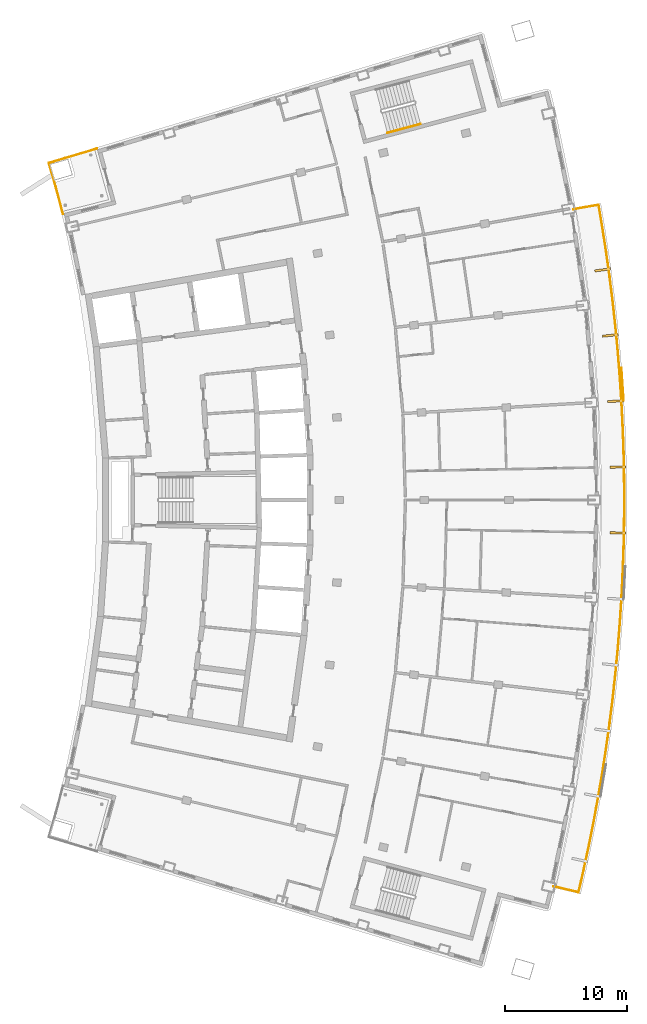
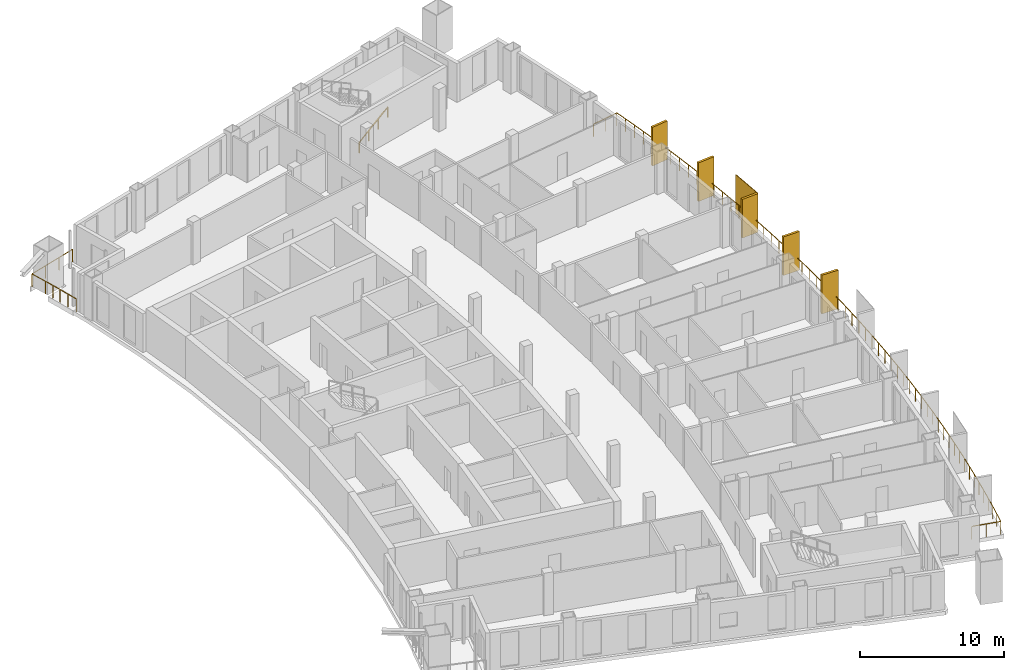
# One storey, part 16 of 17: 6 shading devices, 3 railings.
"""IFC4 building model written with IfcOpenShell, lengths in metres."""

from ifc_helpers import new_model, si_unit, direction, frame, origin, origin_2d, place, context, subcontext, project, spatial, rectangle, extrude, material, layer, layer_set, type_object, element, save


model = new_model("IFC4")

# Units and contexts
model_context = context("Model", 3, precision=1e-05, world=origin(), true_north=direction((0.0, 1.0)))
body_context = subcontext(model_context, "Body", "Model", "MODEL_VIEW")
ifc_project = project(units=[si_unit("LENGTHUNIT", "METRE"), si_unit("AREAUNIT", "SQUARE_METRE"), si_unit("VOLUMEUNIT", "CUBIC_METRE"), si_unit("PLANEANGLEUNIT", "RADIAN"), si_unit("MASSUNIT", "GRAM", prefix="KILO")], contexts=[model_context])

# Site, building, storey
site_placement = place(None, origin())
site = spatial("IfcSite", under=ifc_project, at=site_placement, CompositionType="ELEMENT")
building_placement = place(site_placement, origin())
building = spatial("IfcBuilding", under=site, at=building_placement, Name="Alderwake Tower", CompositionType="ELEMENT")
storey_placement = place(building_placement, frame((0.0, 0.0, 260.0)))
storey = spatial("IfcBuildingStorey", under=building, at=storey_placement, Name="L64", CompositionType="ELEMENT", Elevation=260.0)

# Railings
ifc_material_1 = material(Name="Stainless steel 316 rail and posts", Category="steel")
railing_type_1 = type_object("IfcRailingType", Name="Balcony guard 1100", PredefinedType="GUARDRAIL", material=ifc_material_1)
railing_1_placement = place(storey_placement, frame((53.310302734375, 29.41845703125, 0.0)))
element("IfcRailing", 1, at=railing_1_placement, inside=storey, type_object=railing_type_1, Name="Guard BF03", PredefinedType="GUARDRAIL", context=body_context, shape_type="SweptSolid", body=[
    extrude(rectangle(XDim=0.048095703125, YDim=0.048095703125, at=origin_2d()), frame((0.0, 0.0, 1.076171875), z_axis=(0.973057638874, -0.230561990427, 0.0), x_axis=(0.230561990427, 0.973057638874, 0.0)), (0.0, 0.0, 1.0), 2.099853515625),
    extrude(rectangle(XDim=0.048095703125, YDim=0.048095703125, at=origin_2d()), frame((2.043212890625, -0.484130859375, 1.076171875), z_axis=(0.223814637938, 0.974631729344, 0.0), x_axis=(-0.974631729344, 0.223814637938, 0.0)), (0.0, 0.0, 1.0), 1.928466796875),
    extrude(rectangle(XDim=0.048095703125, YDim=0.048095703125, at=origin_2d()), frame((2.474853515625, 1.3955078125, 1.076171875), z_axis=(0.209890712011, 0.977724853428, 0.0), x_axis=(-0.977724853428, 0.209890712011, 0.0)), (0.0, 0.0, 1.0), 2.028564453125),
    extrude(rectangle(XDim=0.048095703125, YDim=0.048095703125, at=origin_2d()), frame((2.900634765625, 3.37890625, 1.076171875), z_axis=(0.195583748105, 0.980687002808, 0.0), x_axis=(-0.980687002808, 0.195583748105, 0.0)), (0.0, 0.0, 1.0), 2.0283203125),
    extrude(rectangle(XDim=0.048095703125, YDim=0.048095703125, at=origin_2d()), frame((3.29736328125, 5.3681640625, 1.076171875), z_axis=(0.18137379082, 0.983414230121, 0.0), x_axis=(-0.983414230121, 0.18137379082, 0.0)), (0.0, 0.0, 1.0), 2.028564453125),
    extrude(rectangle(XDim=0.048095703125, YDim=0.048095703125, at=origin_2d()), frame((3.665283203125, 7.363037109375, 1.076171875), z_axis=(0.16693570744, 0.985967783237, 0.0), x_axis=(-0.985967783237, 0.16693570744, 0.0)), (0.0, 0.0, 1.0), 2.028564453125),
    extrude(rectangle(XDim=0.048095703125, YDim=0.048095703125, at=origin_2d()), frame((4.00390625, 9.363037109375, 1.076171875), z_axis=(0.152482217915, 0.988306214298, 0.0), x_axis=(-0.988306214298, 0.152482217915, 0.0)), (0.0, 0.0, 1.0), 2.028564453125),
    extrude(rectangle(XDim=0.048095703125, YDim=0.048095703125, at=origin_2d()), frame((4.313232421875, 11.367919921875, 1.076171875), z_axis=(0.13805051548, 0.990425189086, 0.0), x_axis=(-0.990425189086, 0.13805051548, 0.0)), (0.0, 0.0, 1.0), 2.028564453125),
    extrude(rectangle(XDim=0.048095703125, YDim=0.048095703125, at=origin_2d()), frame((4.59326171875, 13.376953125, 1.076171875), z_axis=(0.123590385512, 0.992333319308, 0.0), x_axis=(-0.992333319308, 0.123590385512, 0.0)), (0.0, 0.0, 1.0), 2.02880859375),
    extrude(rectangle(XDim=0.048095703125, YDim=0.048095703125, at=origin_2d()), frame((4.843994140625, 15.39013671875, 1.076171875), z_axis=(0.109163290286, 0.994023830727, 0.0), x_axis=(-0.994023830727, 0.109163290286, 0.0)), (0.0, 0.0, 1.0), 2.028564453125),
    extrude(rectangle(XDim=0.048095703125, YDim=0.048095703125, at=origin_2d()), frame((5.0654296875, 17.406494140625, 1.076171875), z_axis=(0.094723893114, 0.995503583154, 0.0), x_axis=(-0.995503583154, 0.094723893114, 0.0)), (0.0, 0.0, 1.0), 2.0283203125),
    extrude(rectangle(XDim=0.048095703125, YDim=0.048095703125, at=origin_2d()), frame((5.257568359375, 19.42578125, 1.076171875), z_axis=(0.080156604703, 0.996782282508, 0.0), x_axis=(-0.996782282508, 0.080156604703, 0.0)), (0.0, 0.0, 1.0), 2.028564453125),
    extrude(rectangle(XDim=0.048095703125, YDim=0.048095703125, at=origin_2d()), frame((5.420166015625, 21.44775390625, 1.076171875), z_axis=(0.065472533863, 0.997854371795, 0.0), x_axis=(-0.997854371795, 0.065472533863, 0.0)), (0.0, 0.0, 1.0), 2.028564453125),
    extrude(rectangle(XDim=0.048095703125, YDim=0.048095703125, at=origin_2d()), frame((5.552978515625, 23.471923828125, 1.076171875), z_axis=(0.051030076832, 0.998697116877, 0.0), x_axis=(-0.998697116877, 0.051030076832, 0.0)), (0.0, 0.0, 1.0), 2.028564453125),
    extrude(rectangle(XDim=0.048095703125, YDim=0.048095703125, at=origin_2d()), frame((5.656494140625, 25.497802734375, 1.076171875), z_axis=(0.036464173068, 0.999334960903, 0.0), x_axis=(-0.999334960903, 0.036464173068, 0.0)), (0.0, 0.0, 1.0), 2.02880859375),
    extrude(rectangle(XDim=0.048095703125, YDim=0.048095703125, at=origin_2d()), frame((5.73046875, 27.525146484375, 1.076171875), z_axis=(0.021906612556, 0.999760021368, 0.0), x_axis=(-0.999760021368, 0.021906612556, 0.0)), (0.0, 0.0, 1.0), 2.0283203125),
    extrude(rectangle(XDim=0.048095703125, YDim=0.048095703125, at=origin_2d()), frame((5.77490234375, 29.552978515625, 1.076171875), z_axis=(0.007341239164, 0.999973052741, 0.0), x_axis=(-0.999973052741, 0.007341239164, 0.0)), (0.0, 0.0, 1.0), 2.028564453125),
    extrude(rectangle(XDim=0.048095703125, YDim=0.048095703125, at=origin_2d()), frame((5.789794921875, 31.58154296875, 1.076171875), z_axis=(-0.007341239164, 0.999973052741, 0.0), x_axis=(-0.999973052741, -0.007341239164, 0.0)), (0.0, 0.0, 1.0), 2.028564453125),
    extrude(rectangle(XDim=0.048095703125, YDim=0.048095703125, at=origin_2d()), frame((5.77490234375, 33.610107421875, 1.076171875), z_axis=(-0.021906612556, 0.999760021368, 0.0), x_axis=(-0.999760021368, -0.021906612556, 0.0)), (0.0, 0.0, 1.0), 2.0283203125),
    extrude(rectangle(XDim=0.048095703125, YDim=0.048095703125, at=origin_2d()), frame((5.73046875, 35.637939453125, 1.076171875), z_axis=(-0.036464173068, 0.999334960903, 0.0), x_axis=(-0.999334960903, -0.036464173068, 0.0)), (0.0, 0.0, 1.0), 2.02880859375),
    extrude(rectangle(XDim=0.048095703125, YDim=0.048095703125, at=origin_2d()), frame((5.656494140625, 37.665283203125, 1.076171875), z_axis=(-0.051030076832, 0.998697116877, 0.0), x_axis=(-0.998697116877, -0.051030076832, 0.0)), (0.0, 0.0, 1.0), 2.028564453125),
    extrude(rectangle(XDim=0.048095703125, YDim=0.048095703125, at=origin_2d()), frame((5.552978515625, 39.691162109375, 1.076171875), z_axis=(-0.065472533863, 0.997854371795, 0.0), x_axis=(-0.997854371795, -0.065472533863, 0.0)), (0.0, 0.0, 1.0), 2.028564453125),
    extrude(rectangle(XDim=0.048095703125, YDim=0.048095703125, at=origin_2d()), frame((5.420166015625, 41.71533203125, 1.076171875), z_axis=(-0.080156604703, 0.996782282508, 0.0), x_axis=(-0.996782282508, -0.080156604703, 0.0)), (0.0, 0.0, 1.0), 2.028564453125),
    extrude(rectangle(XDim=0.048095703125, YDim=0.048095703125, at=origin_2d()), frame((5.257568359375, 43.7373046875, 1.076171875), z_axis=(-0.094723893114, 0.995503583154, 0.0), x_axis=(-0.995503583154, -0.094723893114, 0.0)), (0.0, 0.0, 1.0), 2.0283203125),
    extrude(rectangle(XDim=0.048095703125, YDim=0.048095703125, at=origin_2d()), frame((5.0654296875, 45.756591796875, 1.076171875), z_axis=(-0.109163290286, 0.994023830727, 0.0), x_axis=(-0.994023830727, -0.109163290286, 0.0)), (0.0, 0.0, 1.0), 2.028564453125),
    extrude(rectangle(XDim=0.048095703125, YDim=0.048095703125, at=origin_2d()), frame((4.843994140625, 47.77294921875, 1.076171875), z_axis=(-0.123590385512, 0.992333319308, 0.0), x_axis=(-0.992333319308, -0.123590385512, 0.0)), (0.0, 0.0, 1.0), 2.02880859375),
    extrude(rectangle(XDim=0.048095703125, YDim=0.048095703125, at=origin_2d()), frame((4.59326171875, 49.7861328125, 1.076171875), z_axis=(-0.13805051548, 0.990425189086, 0.0), x_axis=(-0.990425189086, -0.13805051548, 0.0)), (0.0, 0.0, 1.0), 2.028564453125),
    extrude(rectangle(XDim=0.048095703125, YDim=0.048095703125, at=origin_2d()), frame((4.313232421875, 51.795166015625, 1.076171875), z_axis=(-0.152482217915, 0.988306214298, 0.0), x_axis=(-0.988306214298, -0.152482217915, 0.0)), (0.0, 0.0, 1.0), 2.028564453125),
    extrude(rectangle(XDim=0.048095703125, YDim=0.048095703125, at=origin_2d()), frame((4.00390625, 53.800048828125, 1.076171875), z_axis=(-0.16659512263, 0.986025387663, 0.0), x_axis=(-0.986025387663, -0.16659512263, 0.0)), (0.0, 0.0, 1.0), 1.928466796875),
    extrude(rectangle(XDim=0.048095703125, YDim=0.048095703125, at=origin_2d()), frame((3.6826171875, 55.70166015625, 1.076171875), z_axis=(-0.984844352562, -0.173440483242, 0.0), x_axis=(0.173440483242, -0.984844352562, 0.0)), (0.0, 0.0, 1.0), 2.10009765625),
    extrude(rectangle(XDim=0.0419921875, YDim=0.0419921875, at=origin_2d()), frame((0.0, 0.0, 0.0), z_axis=(0.0, 0.0, 1.0), x_axis=(0.973057638874, -0.230561990427, 0.0)), (0.0, 0.0, 1.0), 1.052001953125),
    extrude(rectangle(XDim=0.0419921875, YDim=0.0419921875, at=origin_2d()), frame((1.021484375, -0.2421875, 0.0), z_axis=(0.0, 0.0, 1.0), x_axis=(0.973057638874, -0.230561990427, 0.0)), (0.0, 0.0, 1.0), 1.052001953125),
    extrude(rectangle(XDim=0.0419921875, YDim=0.0419921875, at=origin_2d()), frame((2.043212890625, -0.484130859375, 0.0), z_axis=(0.0, 0.0, 1.0), x_axis=(0.223814637938, 0.974631729344, 0.0)), (0.0, 0.0, 1.0), 1.052001953125),
    extrude(rectangle(XDim=0.0419921875, YDim=0.0419921875, at=origin_2d()), frame((2.259033203125, 0.45556640625, 0.0), z_axis=(0.0, 0.0, 1.0), x_axis=(0.223814637938, 0.974631729344, 0.0)), (0.0, 0.0, 1.0), 1.052001953125),
    extrude(rectangle(XDim=0.0419921875, YDim=0.0419921875, at=origin_2d()), frame((2.474853515625, 1.3955078125, 0.0), z_axis=(0.0, 0.0, 1.0), x_axis=(0.209890712011, 0.977724853428, 0.0)), (0.0, 0.0, 1.0), 1.052001953125),
    extrude(rectangle(XDim=0.0419921875, YDim=0.0419921875, at=origin_2d()), frame((2.687744140625, 2.38720703125, 0.0), z_axis=(0.0, 0.0, 1.0), x_axis=(0.209890712011, 0.977724853428, 0.0)), (0.0, 0.0, 1.0), 1.052001953125),
    extrude(rectangle(XDim=0.0419921875, YDim=0.0419921875, at=origin_2d()), frame((2.900634765625, 3.37890625, 0.0), z_axis=(0.0, 0.0, 1.0), x_axis=(0.195583748105, 0.980687002808, 0.0)), (0.0, 0.0, 1.0), 1.052001953125),
    extrude(rectangle(XDim=0.0419921875, YDim=0.0419921875, at=origin_2d()), frame((3.09912109375, 4.37353515625, 0.0), z_axis=(0.0, 0.0, 1.0), x_axis=(0.195583748105, 0.980687002808, 0.0)), (0.0, 0.0, 1.0), 1.052001953125),
    extrude(rectangle(XDim=0.0419921875, YDim=0.0419921875, at=origin_2d()), frame((3.29736328125, 5.3681640625, 0.0), z_axis=(0.0, 0.0, 1.0), x_axis=(0.18137379082, 0.983414230121, 0.0)), (0.0, 0.0, 1.0), 1.052001953125),
    extrude(rectangle(XDim=0.0419921875, YDim=0.0419921875, at=origin_2d()), frame((3.4814453125, 6.36572265625, 0.0), z_axis=(0.0, 0.0, 1.0), x_axis=(0.18137379082, 0.983414230121, 0.0)), (0.0, 0.0, 1.0), 1.052001953125),
    extrude(rectangle(XDim=0.0419921875, YDim=0.0419921875, at=origin_2d()), frame((3.665283203125, 7.363037109375, 0.0), z_axis=(0.0, 0.0, 1.0), x_axis=(0.16693570744, 0.985967783237, 0.0)), (0.0, 0.0, 1.0), 1.052001953125),
    extrude(rectangle(XDim=0.0419921875, YDim=0.0419921875, at=origin_2d()), frame((3.83447265625, 8.363037109375, 0.0), z_axis=(0.0, 0.0, 1.0), x_axis=(0.16693570744, 0.985967783237, 0.0)), (0.0, 0.0, 1.0), 1.052001953125),
    extrude(rectangle(XDim=0.0419921875, YDim=0.0419921875, at=origin_2d()), frame((4.00390625, 9.363037109375, 0.0), z_axis=(0.0, 0.0, 1.0), x_axis=(0.152482217915, 0.988306214298, 0.0)), (0.0, 0.0, 1.0), 1.052001953125),
    extrude(rectangle(XDim=0.0419921875, YDim=0.0419921875, at=origin_2d()), frame((4.15869140625, 10.365478515625, 0.0), z_axis=(0.0, 0.0, 1.0), x_axis=(0.152482217915, 0.988306214298, 0.0)), (0.0, 0.0, 1.0), 1.052001953125),
    extrude(rectangle(XDim=0.0419921875, YDim=0.0419921875, at=origin_2d()), frame((4.313232421875, 11.367919921875, 0.0), z_axis=(0.0, 0.0, 1.0), x_axis=(0.13805051548, 0.990425189086, 0.0)), (0.0, 0.0, 1.0), 1.052001953125),
    extrude(rectangle(XDim=0.0419921875, YDim=0.0419921875, at=origin_2d()), frame((4.453125, 12.37255859375, 0.0), z_axis=(0.0, 0.0, 1.0), x_axis=(0.13805051548, 0.990425189086, 0.0)), (0.0, 0.0, 1.0), 1.052001953125),
    extrude(rectangle(XDim=0.0419921875, YDim=0.0419921875, at=origin_2d()), frame((4.59326171875, 13.376953125, 0.0), z_axis=(0.0, 0.0, 1.0), x_axis=(0.123590385512, 0.992333319308, 0.0)), (0.0, 0.0, 1.0), 1.052001953125),
    extrude(rectangle(XDim=0.0419921875, YDim=0.0419921875, at=origin_2d()), frame((4.71875, 14.383544921875, 0.0), z_axis=(0.0, 0.0, 1.0), x_axis=(0.123590385512, 0.992333319308, 0.0)), (0.0, 0.0, 1.0), 1.052001953125),
    extrude(rectangle(XDim=0.0419921875, YDim=0.0419921875, at=origin_2d()), frame((4.843994140625, 15.39013671875, 0.0), z_axis=(0.0, 0.0, 1.0), x_axis=(0.109163290286, 0.994023830727, 0.0)), (0.0, 0.0, 1.0), 1.052001953125),
    extrude(rectangle(XDim=0.0419921875, YDim=0.0419921875, at=origin_2d()), frame((4.95458984375, 16.3984375, 0.0), z_axis=(0.0, 0.0, 1.0), x_axis=(0.109163290286, 0.994023830727, 0.0)), (0.0, 0.0, 1.0), 1.052001953125),
    extrude(rectangle(XDim=0.0419921875, YDim=0.0419921875, at=origin_2d()), frame((5.0654296875, 17.406494140625, 0.0), z_axis=(0.0, 0.0, 1.0), x_axis=(0.094723893114, 0.995503583154, 0.0)), (0.0, 0.0, 1.0), 1.052001953125),
    extrude(rectangle(XDim=0.0419921875, YDim=0.0419921875, at=origin_2d()), frame((5.16162109375, 18.416015625, 0.0), z_axis=(0.0, 0.0, 1.0), x_axis=(0.094723893114, 0.995503583154, 0.0)), (0.0, 0.0, 1.0), 1.052001953125),
    extrude(rectangle(XDim=0.0419921875, YDim=0.0419921875, at=origin_2d()), frame((5.257568359375, 19.42578125, 0.0), z_axis=(0.0, 0.0, 1.0), x_axis=(0.080156604703, 0.996782282508, 0.0)), (0.0, 0.0, 1.0), 1.052001953125),
    extrude(rectangle(XDim=0.0419921875, YDim=0.0419921875, at=origin_2d()), frame((5.3388671875, 20.436767578125, 0.0), z_axis=(0.0, 0.0, 1.0), x_axis=(0.080156604703, 0.996782282508, 0.0)), (0.0, 0.0, 1.0), 1.052001953125),
    extrude(rectangle(XDim=0.0419921875, YDim=0.0419921875, at=origin_2d()), frame((5.420166015625, 21.44775390625, 0.0), z_axis=(0.0, 0.0, 1.0), x_axis=(0.065472533863, 0.997854371795, 0.0)), (0.0, 0.0, 1.0), 1.052001953125),
    extrude(rectangle(XDim=0.0419921875, YDim=0.0419921875, at=origin_2d()), frame((5.486572265625, 22.4599609375, 0.0), z_axis=(0.0, 0.0, 1.0), x_axis=(0.065472533863, 0.997854371795, 0.0)), (0.0, 0.0, 1.0), 1.052001953125),
    extrude(rectangle(XDim=0.0419921875, YDim=0.0419921875, at=origin_2d()), frame((5.552978515625, 23.471923828125, 0.0), z_axis=(0.0, 0.0, 1.0), x_axis=(0.051030076832, 0.998697116877, 0.0)), (0.0, 0.0, 1.0), 1.052001953125),
    extrude(rectangle(XDim=0.0419921875, YDim=0.0419921875, at=origin_2d()), frame((5.604736328125, 24.48486328125, 0.0), z_axis=(0.0, 0.0, 1.0), x_axis=(0.051030076832, 0.998697116877, 0.0)), (0.0, 0.0, 1.0), 1.052001953125),
    extrude(rectangle(XDim=0.0419921875, YDim=0.0419921875, at=origin_2d()), frame((5.656494140625, 25.497802734375, 0.0), z_axis=(0.0, 0.0, 1.0), x_axis=(0.036464173068, 0.999334960903, 0.0)), (0.0, 0.0, 1.0), 1.052001953125),
    extrude(rectangle(XDim=0.0419921875, YDim=0.0419921875, at=origin_2d()), frame((5.693359375, 26.511474609375, 0.0), z_axis=(0.0, 0.0, 1.0), x_axis=(0.036464173068, 0.999334960903, 0.0)), (0.0, 0.0, 1.0), 1.052001953125),
    extrude(rectangle(XDim=0.0419921875, YDim=0.0419921875, at=origin_2d()), frame((5.73046875, 27.525146484375, 0.0), z_axis=(0.0, 0.0, 1.0), x_axis=(0.021906612556, 0.999760021368, 0.0)), (0.0, 0.0, 1.0), 1.052001953125),
    extrude(rectangle(XDim=0.0419921875, YDim=0.0419921875, at=origin_2d()), frame((5.752685546875, 28.5390625, 0.0), z_axis=(0.0, 0.0, 1.0), x_axis=(0.021906612556, 0.999760021368, 0.0)), (0.0, 0.0, 1.0), 1.052001953125),
    extrude(rectangle(XDim=0.0419921875, YDim=0.0419921875, at=origin_2d()), frame((5.77490234375, 29.552978515625, 0.0), z_axis=(0.0, 0.0, 1.0), x_axis=(0.007341239164, 0.999973052741, 0.0)), (0.0, 0.0, 1.0), 1.052001953125),
    extrude(rectangle(XDim=0.0419921875, YDim=0.0419921875, at=origin_2d()), frame((5.7822265625, 30.5673828125, 0.0), z_axis=(0.0, 0.0, 1.0), x_axis=(0.007341239164, 0.999973052741, 0.0)), (0.0, 0.0, 1.0), 1.052001953125),
    extrude(rectangle(XDim=0.0419921875, YDim=0.0419921875, at=origin_2d()), frame((5.789794921875, 31.58154296875, 0.0), z_axis=(0.0, 0.0, 1.0), x_axis=(-0.007341239164, 0.999973052741, 0.0)), (0.0, 0.0, 1.0), 1.052001953125),
    extrude(rectangle(XDim=0.0419921875, YDim=0.0419921875, at=origin_2d()), frame((5.7822265625, 32.595703125, 0.0), z_axis=(0.0, 0.0, 1.0), x_axis=(-0.007341239164, 0.999973052741, 0.0)), (0.0, 0.0, 1.0), 1.052001953125),
    extrude(rectangle(XDim=0.0419921875, YDim=0.0419921875, at=origin_2d()), frame((5.77490234375, 33.610107421875, 0.0), z_axis=(0.0, 0.0, 1.0), x_axis=(-0.021906612556, 0.999760021368, 0.0)), (0.0, 0.0, 1.0), 1.052001953125),
    extrude(rectangle(XDim=0.0419921875, YDim=0.0419921875, at=origin_2d()), frame((5.752685546875, 34.6240234375, 0.0), z_axis=(0.0, 0.0, 1.0), x_axis=(-0.021906612556, 0.999760021368, 0.0)), (0.0, 0.0, 1.0), 1.052001953125),
    extrude(rectangle(XDim=0.0419921875, YDim=0.0419921875, at=origin_2d()), frame((5.73046875, 35.637939453125, 0.0), z_axis=(0.0, 0.0, 1.0), x_axis=(-0.036464173068, 0.999334960903, 0.0)), (0.0, 0.0, 1.0), 1.052001953125),
    extrude(rectangle(XDim=0.0419921875, YDim=0.0419921875, at=origin_2d()), frame((5.693359375, 36.651611328125, 0.0), z_axis=(0.0, 0.0, 1.0), x_axis=(-0.036464173068, 0.999334960903, 0.0)), (0.0, 0.0, 1.0), 1.052001953125),
    extrude(rectangle(XDim=0.0419921875, YDim=0.0419921875, at=origin_2d()), frame((5.656494140625, 37.665283203125, 0.0), z_axis=(0.0, 0.0, 1.0), x_axis=(-0.051030076832, 0.998697116877, 0.0)), (0.0, 0.0, 1.0), 1.052001953125),
    extrude(rectangle(XDim=0.0419921875, YDim=0.0419921875, at=origin_2d()), frame((5.604736328125, 38.67822265625, 0.0), z_axis=(0.0, 0.0, 1.0), x_axis=(-0.051030076832, 0.998697116877, 0.0)), (0.0, 0.0, 1.0), 1.052001953125),
    extrude(rectangle(XDim=0.0419921875, YDim=0.0419921875, at=origin_2d()), frame((5.552978515625, 39.691162109375, 0.0), z_axis=(0.0, 0.0, 1.0), x_axis=(-0.065472533863, 0.997854371795, 0.0)), (0.0, 0.0, 1.0), 1.052001953125),
    extrude(rectangle(XDim=0.0419921875, YDim=0.0419921875, at=origin_2d()), frame((5.486572265625, 40.703125, 0.0), z_axis=(0.0, 0.0, 1.0), x_axis=(-0.065472533863, 0.997854371795, 0.0)), (0.0, 0.0, 1.0), 1.052001953125),
    extrude(rectangle(XDim=0.0419921875, YDim=0.0419921875, at=origin_2d()), frame((5.420166015625, 41.71533203125, 0.0), z_axis=(0.0, 0.0, 1.0), x_axis=(-0.080156604703, 0.996782282508, 0.0)), (0.0, 0.0, 1.0), 1.052001953125),
    extrude(rectangle(XDim=0.0419921875, YDim=0.0419921875, at=origin_2d()), frame((5.3388671875, 42.726318359375, 0.0), z_axis=(0.0, 0.0, 1.0), x_axis=(-0.080156604703, 0.996782282508, 0.0)), (0.0, 0.0, 1.0), 1.052001953125),
    extrude(rectangle(XDim=0.0419921875, YDim=0.0419921875, at=origin_2d()), frame((5.257568359375, 43.7373046875, 0.0), z_axis=(0.0, 0.0, 1.0), x_axis=(-0.094723893114, 0.995503583154, 0.0)), (0.0, 0.0, 1.0), 1.052001953125),
    extrude(rectangle(XDim=0.0419921875, YDim=0.0419921875, at=origin_2d()), frame((5.16162109375, 44.7470703125, 0.0), z_axis=(0.0, 0.0, 1.0), x_axis=(-0.094723893114, 0.995503583154, 0.0)), (0.0, 0.0, 1.0), 1.052001953125),
    extrude(rectangle(XDim=0.0419921875, YDim=0.0419921875, at=origin_2d()), frame((5.0654296875, 45.756591796875, 0.0), z_axis=(0.0, 0.0, 1.0), x_axis=(-0.109163290286, 0.994023830727, 0.0)), (0.0, 0.0, 1.0), 1.052001953125),
    extrude(rectangle(XDim=0.0419921875, YDim=0.0419921875, at=origin_2d()), frame((4.95458984375, 46.7646484375, 0.0), z_axis=(0.0, 0.0, 1.0), x_axis=(-0.109163290286, 0.994023830727, 0.0)), (0.0, 0.0, 1.0), 1.052001953125),
    extrude(rectangle(XDim=0.0419921875, YDim=0.0419921875, at=origin_2d()), frame((4.843994140625, 47.77294921875, 0.0), z_axis=(0.0, 0.0, 1.0), x_axis=(-0.123590385512, 0.992333319308, 0.0)), (0.0, 0.0, 1.0), 1.052001953125),
    extrude(rectangle(XDim=0.0419921875, YDim=0.0419921875, at=origin_2d()), frame((4.71875, 48.779541015625, 0.0), z_axis=(0.0, 0.0, 1.0), x_axis=(-0.123590385512, 0.992333319308, 0.0)), (0.0, 0.0, 1.0), 1.052001953125),
    extrude(rectangle(XDim=0.0419921875, YDim=0.0419921875, at=origin_2d()), frame((4.59326171875, 49.7861328125, 0.0), z_axis=(0.0, 0.0, 1.0), x_axis=(-0.13805051548, 0.990425189086, 0.0)), (0.0, 0.0, 1.0), 1.052001953125),
    extrude(rectangle(XDim=0.0419921875, YDim=0.0419921875, at=origin_2d()), frame((4.453125, 50.79052734375, 0.0), z_axis=(0.0, 0.0, 1.0), x_axis=(-0.13805051548, 0.990425189086, 0.0)), (0.0, 0.0, 1.0), 1.052001953125),
    extrude(rectangle(XDim=0.0419921875, YDim=0.0419921875, at=origin_2d()), frame((4.313232421875, 51.795166015625, 0.0), z_axis=(0.0, 0.0, 1.0), x_axis=(-0.152482217915, 0.988306214298, 0.0)), (0.0, 0.0, 1.0), 1.052001953125),
    extrude(rectangle(XDim=0.0419921875, YDim=0.0419921875, at=origin_2d()), frame((4.15869140625, 52.797607421875, 0.0), z_axis=(0.0, 0.0, 1.0), x_axis=(-0.152482217915, 0.988306214298, 0.0)), (0.0, 0.0, 1.0), 1.052001953125),
    extrude(rectangle(XDim=0.0419921875, YDim=0.0419921875, at=origin_2d()), frame((4.00390625, 53.800048828125, 0.0), z_axis=(0.0, 0.0, 1.0), x_axis=(-0.16659512263, 0.986025387663, 0.0)), (0.0, 0.0, 1.0), 1.052001953125),
    extrude(rectangle(XDim=0.0419921875, YDim=0.0419921875, at=origin_2d()), frame((3.84326171875, 54.7509765625, 0.0), z_axis=(0.0, 0.0, 1.0), x_axis=(-0.16659512263, 0.986025387663, 0.0)), (0.0, 0.0, 1.0), 1.052001953125),
    extrude(rectangle(XDim=0.0419921875, YDim=0.0419921875, at=origin_2d()), frame((3.6826171875, 55.70166015625, 0.0), z_axis=(0.0, 0.0, 1.0), x_axis=(-0.984844352562, -0.173440483242, 0.0)), (0.0, 0.0, 1.0), 1.052001953125),
    extrude(rectangle(XDim=0.0419921875, YDim=0.0419921875, at=origin_2d()), frame((2.6484375, 55.51953125, 0.0), z_axis=(0.0, 0.0, 1.0), x_axis=(-0.984844352562, -0.173440483242, 0.0)), (0.0, 0.0, 1.0), 1.052001953125),
    extrude(rectangle(XDim=0.0419921875, YDim=0.0419921875, at=origin_2d()), frame((1.6142578125, 55.33740234375, 0.0), z_axis=(0.0, 0.0, 1.0), x_axis=(-0.984844352562, -0.173440483242, 0.0)), (0.0, 0.0, 1.0), 1.052001953125),
])
railing_2_placement = place(storey_placement, frame((13.210693359375, 84.387451171875, 0.0)))
element("IfcRailing", 2, at=railing_2_placement, inside=storey, type_object=railing_type_1, Name="Guard terrace RN", PredefinedType="GUARDRAIL", context=body_context, shape_type="SweptSolid", body=[
    extrude(rectangle(XDim=0.048095703125, YDim=0.048095703125, at=origin_2d()), frame((0.0, 0.0, 1.076171875), z_axis=(-0.251385381433, 0.967887075026, 0.0), x_axis=(-0.967887075026, -0.251385381433, 0.0)), (0.0, 0.0, 1.0), 1.6015625),
    extrude(rectangle(XDim=0.048095703125, YDim=0.048095703125, at=origin_2d()), frame((-0.402587890625, 1.550048828125, 1.076171875), z_axis=(-0.266520638672, 0.963829211615, 0.0), x_axis=(-0.963829211615, -0.266520638672, 0.0)), (0.0, 0.0, 1.0), 1.401611328125),
    extrude(rectangle(XDim=0.048095703125, YDim=0.048095703125, at=origin_2d()), frame((-0.776123046875, 2.90087890625, 1.076171875), z_axis=(-0.280093650878, 0.959972680204, 0.0), x_axis=(-0.959972680204, -0.280093650878, 0.0)), (0.0, 0.0, 1.0), 1.30126953125),
    extrude(rectangle(XDim=0.048095703125, YDim=0.048095703125, at=origin_2d()), frame((-1.140625, 4.150146484375, 1.076171875), z_axis=(0.958066871889, 0.286544706789, 0.0), x_axis=(-0.286544706789, 0.958066871889, 0.0)), (0.0, 0.0, 1.0), 4.099853515625),
    extrude(rectangle(XDim=0.0419921875, YDim=0.0419921875, at=origin_2d()), frame((0.0, 0.0, 0.0), z_axis=(0.0, 0.0, 1.0), x_axis=(-0.251385381433, 0.967887075026, 0.0)), (0.0, 0.0, 1.0), 1.052001953125),
    extrude(rectangle(XDim=0.0419921875, YDim=0.0419921875, at=origin_2d()), frame((-0.201171875, 0.77490234375, 0.0), z_axis=(0.0, 0.0, 1.0), x_axis=(-0.251385381433, 0.967887075026, 0.0)), (0.0, 0.0, 1.0), 1.052001953125),
    extrude(rectangle(XDim=0.0419921875, YDim=0.0419921875, at=origin_2d()), frame((-0.402587890625, 1.550048828125, 0.0), z_axis=(0.0, 0.0, 1.0), x_axis=(-0.266520638672, 0.963829211615, 0.0)), (0.0, 0.0, 1.0), 1.052001953125),
    extrude(rectangle(XDim=0.0419921875, YDim=0.0419921875, at=origin_2d()), frame((-0.58935546875, 2.2255859375, 0.0), z_axis=(0.0, 0.0, 1.0), x_axis=(-0.266520638672, 0.963829211615, 0.0)), (0.0, 0.0, 1.0), 1.052001953125),
    extrude(rectangle(XDim=0.0419921875, YDim=0.0419921875, at=origin_2d()), frame((-0.776123046875, 2.90087890625, 0.0), z_axis=(0.0, 0.0, 1.0), x_axis=(-0.280093650878, 0.959972680204, 0.0)), (0.0, 0.0, 1.0), 1.052001953125),
    extrude(rectangle(XDim=0.0419921875, YDim=0.0419921875, at=origin_2d()), frame((-1.140625, 4.150146484375, 0.0), z_axis=(0.0, 0.0, 1.0), x_axis=(0.958066871889, 0.286544706789, 0.0)), (0.0, 0.0, 1.0), 1.052001953125),
    extrude(rectangle(XDim=0.0419921875, YDim=0.0419921875, at=origin_2d()), frame((0.168701171875, 4.541748046875, 0.0), z_axis=(0.0, 0.0, 1.0), x_axis=(0.958066871889, 0.286544706789, 0.0)), (0.0, 0.0, 1.0), 1.052001953125),
    extrude(rectangle(XDim=0.0419921875, YDim=0.0419921875, at=origin_2d()), frame((1.47802734375, 4.933349609375, 0.0), z_axis=(0.0, 0.0, 1.0), x_axis=(0.958066871889, 0.286544706789, 0.0)), (0.0, 0.0, 1.0), 1.052001953125),
    extrude(rectangle(XDim=0.0419921875, YDim=0.0419921875, at=origin_2d()), frame((2.787353515625, 5.324951171875, 0.0), z_axis=(0.0, 0.0, 1.0), x_axis=(0.958066871889, 0.286544706789, 0.0)), (0.0, 0.0, 1.0), 1.052001953125),
])

# Shading devices
ifc_material_2 = material(Name="Bronze anodised aluminium", Category="aluminium")
ifc_layer_1 = layer(ifc_material_2, 0.179931640625)
ifc_layer_set_1 = layer_set([ifc_layer_1], Name="Facade fin 1300")
shading_device_type_1 = type_object("IfcShadingDeviceType", Name="Facade fin 1300", PredefinedType="USERDEFINED", material=ifc_layer_set_1)
for number, where, z_axis, x_axis, name in (
    (3, (58.573974609375, 58.311279296875, 0.0), (0.0, 0.0, 1.0), (0.999811838809, -0.019398117887, 0.0), "Fin"),
    (4, (58.573974609375, 63.688720703125, 0.0), (0.0, 0.0, 1.0), (0.999811838809, 0.019398117887, 0.0), "Fin"),
    (5, (58.364501953125, 69.07568359375, 0.0), (0.0, 0.0, 1.0), (0.998301080988, 0.058266214038, 0.0), "Fin"),
    (6, (57.94580078125, 74.45068359375, 0.0), (0.0, 0.0, 1.0), (0.995279882363, 0.097046152751, 0.0), "Fin"),
    (7, (57.318359375, 79.805419921875, 0.0), (0.0, 0.0, 1.0), (0.990752577235, 0.135680988728, 0.0), "Fin"),
):
    element("IfcShadingDevice", number, at=place(storey_placement, frame(where, z_axis=z_axis, x_axis=x_axis)), inside=storey, type_object=shading_device_type_1, Name=name, ObjectType="FIN", PredefinedType="USERDEFINED", context=body_context, shape_type="SweptSolid", body=[
        extrude(rectangle(XDim=1.300048828125, YDim=0.179931640625, at=origin_2d()), origin(), (0.0, 0.0, 1.0), 3.280029296875),
    ])
ifc_material_3 = material(Name="Perforated bronze anodised aluminium", Category="aluminium")
ifc_layer_2 = layer(ifc_material_3, 0.050048828125)
ifc_layer_set_2 = layer_set([ifc_layer_2], Name="Perforated screen panel")
shading_device_type_2 = type_object("IfcShadingDeviceType", Name="Perforated screen panel", PredefinedType="USERDEFINED", material=ifc_layer_set_2)
shading_device_placement = place(storey_placement, frame((58.946044921875, 70.469970703125, 0.0), z_axis=(0.0, 0.0, 1.0), x_axis=(0.997685465774, 0.067997877779, 0.0)))
element("IfcShadingDevice", 8, at=shading_device_placement, inside=storey, type_object=shading_device_type_2, Name="Screen panel", ObjectType="SCREEN", PredefinedType="USERDEFINED", context=body_context, shape_type="SweptSolid", body=[
    extrude(rectangle(XDim=0.050048828125, YDim=2.7158203125, at=origin_2d()), origin(), (0.0, 0.0, 1.0), 3.280029296875),
])

# Railing
ifc_material_4 = material(Name="Stainless steel handrail", Category="steel")
railing_type_2 = type_object("IfcRailingType", Name="Stair handrail 900", PredefinedType="HANDRAIL", material=ifc_material_4)
railing_3_placement = place(storey_placement, frame((39.731689453125, 91.002685546875, 0.16357421875)))
element("IfcRailing", 9, at=railing_3_placement, inside=storey, type_object=railing_type_2, Name="L64 ST-A stair handrail 1", PredefinedType="HANDRAIL", context=body_context, shape_type="SweptSolid", body=[
    extrude(rectangle(XDim=0.048095703125, YDim=0.048095703125, at=origin_2d()), frame((0.0, 0.0, 0.8759765625), z_axis=(0.834258940753, 0.22222815314, 0.504605457487), x_axis=(-0.257402139082, 0.966304371715, 0.0)), (0.0, 0.0, 1.0), 3.2431640625),
    extrude(rectangle(XDim=0.0419921875, YDim=0.0419921875, at=origin_2d()), frame((0.0, 0.0, 0.0), z_axis=(0.0, 0.0, 1.0), x_axis=(0.966304371715, 0.257402139082, 0.0)), (0.0, 0.0, 1.0), 0.851806640625),
    extrude(rectangle(XDim=0.0419921875, YDim=0.0419921875, at=origin_2d()), frame((0.90185546875, 0.240234375, 0.54541015625), z_axis=(0.0, 0.0, 1.0), x_axis=(0.966304371715, 0.257402139082, 0.0)), (0.0, 0.0, 1.0), 0.851806640625),
    extrude(rectangle(XDim=0.0419921875, YDim=0.0419921875, at=origin_2d()), frame((1.8037109375, 0.48046875, 1.091064453125), z_axis=(0.0, 0.0, 1.0), x_axis=(0.966304371715, 0.257402139082, 0.0)), (0.0, 0.0, 1.0), 0.851806640625),
    extrude(rectangle(XDim=0.0419921875, YDim=0.0419921875, at=origin_2d()), frame((2.70556640625, 0.720703125, 1.636474609375), z_axis=(0.0, 0.0, 1.0), x_axis=(0.966304371715, 0.257402139082, 0.0)), (0.0, 0.0, 1.0), 0.851806640625),
])

save(model, "model.ifc")
